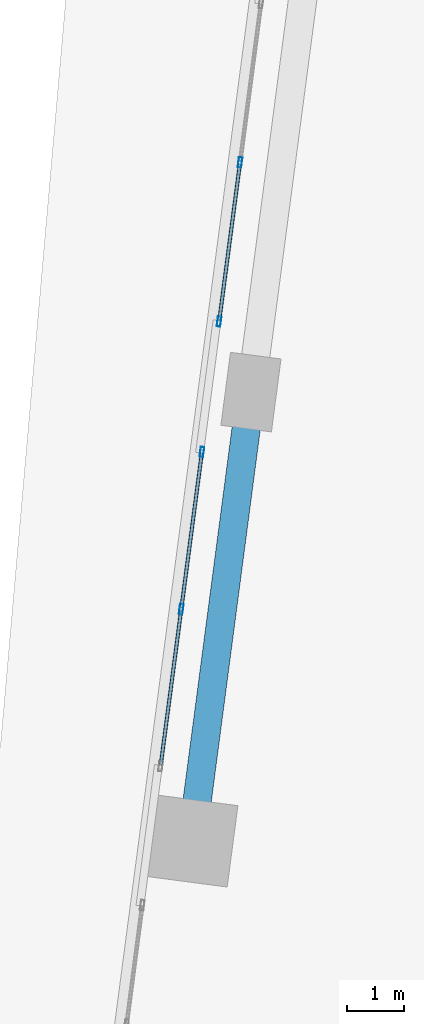
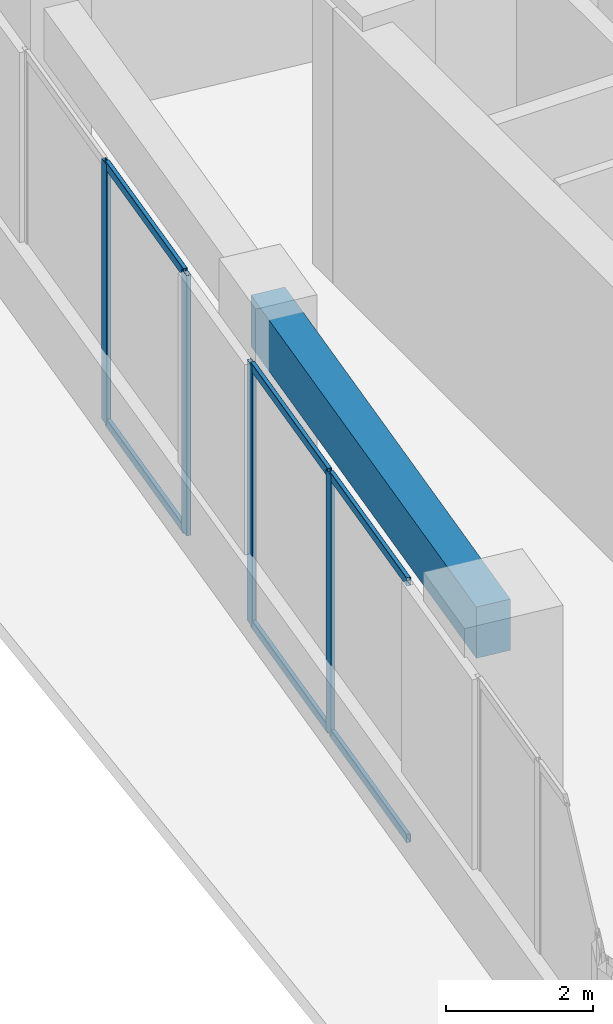
# One storey, part 7 of 24: 10 members, 1 beam, 2 elements without a shape of their own.
"""IFC4 building model written with IfcOpenShell, lengths in metres."""

from ifc_helpers import new_model, si_unit, direction, frame, origin, origin_2d, place, context, subcontext, project, spatial, rectangle, hollow_rectangle, extrude, source, transform, mapped, material, material_profile, profile_set, type_object, element, aggregate, save


model = new_model("IFC4")

# Units and contexts
model_context = context("Model", 3, precision=1e-05, world=origin(), true_north=direction((0.0, 1.0)))
body_context = subcontext(model_context, "Body", "Model", "MODEL_VIEW")
ifc_project = project(units=[si_unit("LENGTHUNIT", "METRE"), si_unit("AREAUNIT", "SQUARE_METRE"), si_unit("VOLUMEUNIT", "CUBIC_METRE"), si_unit("PLANEANGLEUNIT", "RADIAN"), si_unit("MASSUNIT", "GRAM", prefix="KILO")], contexts=[model_context])

# Site, building, storey
site_placement = place(None, origin())
site = spatial("IfcSite", under=ifc_project, at=site_placement, CompositionType="ELEMENT")
building_placement = place(site_placement, origin())
building = spatial("IfcBuilding", under=site, at=building_placement, Name="Torre Montelarca", CompositionType="ELEMENT")
storey_placement = place(building_placement, frame((0.0, 0.0, 61.60009765625)))
storey = spatial("IfcBuildingStorey", under=building, at=storey_placement, Name="L13", CompositionType="ELEMENT", Elevation=61.60009765625)

# Beam
ifc_material_1 = material(Name="Concrete C55/67", Category="concrete")
ifc_material_profile_1 = material_profile(ifc_material_1, rectangle(XDim=0.5, YDim=0.85009765625, at=origin_2d()), Name="RCB500X850", Category="concrete")
ifc_profile_set_1 = profile_set([ifc_material_profile_1], Name="Concrete C55/67")
beam_type = type_object("IfcBeamType", Name="BM-SP-RC850-EXT", PredefinedType="SPANDREL", material=ifc_profile_set_1)
shared_shape_1 = source(origin(), body_context, "Body", "SweptSolid", [
    extrude(rectangle(XDim=0.5, YDim=0.85009765625, at=origin_2d()), origin(), (0.0, 0.0, 1.0), 8.0),
])
beam_placement = place(storey_placement, frame((3.75, 26.267822265625, 4.135009765625), z_axis=(0.130522402305, 0.991445360318, 0.0), x_axis=(-0.991445360318, 0.130522402305, 0.0)))
element("IfcBeam", 1, at=beam_placement, inside=storey, type_object=beam_type, Name="L13 Grid Girder Y 24.0-32.0 at X=4.7", PredefinedType="SPANDREL", context=body_context, shape_type="MappedRepresentation", body=[
    mapped(shared_shape_1, transform((0.0, 0.0, 0.0), scale=1.0)),
])

# Curtain wall, members
ifc_material_2 = material(Name="Insulated low-E laminated glass", Category="glass")
curtain_wall_type = type_object("IfcCurtainWallType", Name="CW-SYS-Z1", PredefinedType="USERDEFINED", material=ifc_material_2)
curtain_wall_1_placement = place(storey_placement, origin())
curtain_wall_1 = element("IfcCurtainWall", 2, at=curtain_wall_1_placement, inside=storey, type_object=curtain_wall_type, Name="L13 Curtain Wall Run CW-T3-L13-E10-B1", ObjectType="UNITISED GLAZING", PredefinedType="USERDEFINED")
ifc_material_3 = material(Name="Anodised aluminium AA 6063-T6", Category="aluminium")
ifc_material_profile_2 = material_profile(ifc_material_3, hollow_rectangle(XDim=0.06494140625, YDim=0.139892578125, WallThickness=0.00390625, InnerFilletRadius=0.00390625, OuterFilletRadius=0.008056640625, at=origin_2d()), Name="ALU65X140X4", Category="aluminium")
ifc_profile_set_2 = profile_set([ifc_material_profile_2], Name="Anodised aluminium AA 6063-T6")
member_type_1 = type_object("IfcMemberType", Name="CWT-ALU140", PredefinedType="USERDEFINED", material=ifc_profile_set_2)
shared_shape_2 = source(origin(), body_context, "Body", "SweptSolid", [
    extrude(hollow_rectangle(XDim=0.06494140625, YDim=0.139892578125, WallThickness=0.00390625, InnerFilletRadius=0.00390625, OuterFilletRadius=0.008056640625, at=origin_2d()), origin(), (0.0, 0.0, 1.0), 2.7724609375),
])
member_1_placement = place(storey_placement, frame((4.59814453125, 38.226806640625, 0.032470703125), z_axis=(-0.130502348019, -0.991448000231, 0.0), x_axis=(0.991448000231, -0.130502348019, 0.0)))
member_1 = element("IfcMember", 3, at=member_1_placement, type_object=member_type_1, Name="CW transom 2.1", ObjectType="TRANSOM", PredefinedType="USERDEFINED", context=body_context, shape_type="MappedRepresentation", body=[
    mapped(shared_shape_2, transform((0.0, 0.0, 0.0), scale=1.0)),
])
member_2_placement = place(storey_placement, frame((4.59814453125, 38.226806640625, 4.287353515625), z_axis=(-0.130502348019, -0.991448000231, 0.0), x_axis=(0.991448000231, -0.130502348019, 0.0)))
member_2 = element("IfcMember", 4, at=member_2_placement, type_object=member_type_1, Name="CW transom 2.2", ObjectType="TRANSOM", PredefinedType="USERDEFINED", context=body_context, shape_type="MappedRepresentation", body=[
    mapped(shared_shape_2, transform((0.0, 0.0, 0.0), scale=1.0)),
])

curtain_wall_2_placement = place(storey_placement, origin())
curtain_wall_2 = element("IfcCurtainWall", 5, at=curtain_wall_2_placement, inside=storey, type_object=curtain_wall_type, Name="L13 Curtain Wall Run CW-T3-L13-E10-B2", ObjectType="UNITISED GLAZING", PredefinedType="USERDEFINED")
shared_shape_3 = source(origin(), body_context, "Body", "SweptSolid", [
    extrude(hollow_rectangle(XDim=0.06494140625, YDim=0.139892578125, WallThickness=0.00390625, InnerFilletRadius=0.00390625, OuterFilletRadius=0.008056640625, at=origin_2d()), origin(), (0.0, 0.0, 1.0), 2.735107421875),
])
member_3_placement = place(storey_placement, frame((3.92431640625, 33.108642578125, 0.032470703125), z_axis=(-0.130503002643, -0.991447914064, 0.0), x_axis=(0.991447914064, -0.130503002643, 0.0)))
member_3 = element("IfcMember", 6, at=member_3_placement, type_object=member_type_1, Name="CW transom 1.1", ObjectType="TRANSOM", PredefinedType="USERDEFINED", context=body_context, shape_type="MappedRepresentation", body=[
    mapped(shared_shape_3, transform((0.0, 0.0, 0.0), scale=1.0)),
])
member_4_placement = place(storey_placement, frame((3.92431640625, 33.108642578125, 4.287353515625), z_axis=(-0.130503002643, -0.991447914064, 0.0), x_axis=(0.991447914064, -0.130503002643, 0.0)))
member_4 = element("IfcMember", 7, at=member_4_placement, type_object=member_type_1, Name="CW transom 1.2", ObjectType="TRANSOM", PredefinedType="USERDEFINED", context=body_context, shape_type="MappedRepresentation", body=[
    mapped(shared_shape_3, transform((0.0, 0.0, 0.0), scale=1.0)),
])
member_5_placement = place(storey_placement, frame((3.558837890625, 30.33251953125, 0.032470703125), z_axis=(-0.130503002643, -0.991447914064, 0.0), x_axis=(0.991447914064, -0.130503002643, 0.0)))
member_5 = element("IfcMember", 8, at=member_5_placement, type_object=member_type_1, Name="CW transom 2.1", ObjectType="TRANSOM", PredefinedType="USERDEFINED", context=body_context, shape_type="MappedRepresentation", body=[
    mapped(shared_shape_3, transform((0.0, 0.0, 0.0), scale=1.0)),
])
member_6_placement = place(storey_placement, frame((3.558837890625, 30.33251953125, 4.287353515625), z_axis=(-0.130503002643, -0.991447914064, 0.0), x_axis=(0.991447914064, -0.130503002643, 0.0)))
member_6 = element("IfcMember", 9, at=member_6_placement, type_object=member_type_1, Name="CW transom 2.2", ObjectType="TRANSOM", PredefinedType="USERDEFINED", context=body_context, shape_type="MappedRepresentation", body=[
    mapped(shared_shape_3, transform((0.0, 0.0, 0.0), scale=1.0)),
])

# Member
ifc_material_profile_3 = material_profile(ifc_material_3, hollow_rectangle(XDim=0.06494140625, YDim=0.179931640625, WallThickness=0.00390625, InnerFilletRadius=0.00390625, OuterFilletRadius=0.008056640625, at=origin_2d()), Name="ALU65X180X4", Category="aluminium")
ifc_profile_set_3 = profile_set([ifc_material_profile_3], Name="Anodised aluminium AA 6063-T6")
member_type_2 = type_object("IfcMemberType", Name="CWM-ALU180", PredefinedType="MULLION", material=ifc_profile_set_3)
shared_shape_4 = source(origin(), body_context, "Body", "SweptSolid", [
    extrude(hollow_rectangle(XDim=0.06494140625, YDim=0.179931640625, WallThickness=0.00390625, InnerFilletRadius=0.00390625, OuterFilletRadius=0.008056640625, at=origin_2d()), origin(), (0.0, 0.0, 1.0), 4.31982421875),
])
member_7_placement = place(storey_placement, frame((4.6025390625, 38.259033203125, 0.0), z_axis=(0.0, 0.0, 1.0), x_axis=(0.991442787809, -0.13054194154, 0.0)))
member_7 = element("IfcMember", 10, at=member_7_placement, type_object=member_type_2, Name="CW mullion 2", PredefinedType="MULLION", context=body_context, shape_type="MappedRepresentation", body=[
    mapped(shared_shape_4, transform((0.0, 0.0, 0.0), scale=1.0)),
])

member_8_placement = place(storey_placement, frame((4.23193359375, 35.44580078125, 0.0), z_axis=(0.0, 0.0, 1.0), x_axis=(0.991442787809, -0.13054194154, 0.0)))
member_8 = element("IfcMember", 11, at=member_8_placement, type_object=member_type_2, Name="CW mullion 3", PredefinedType="MULLION", context=body_context, shape_type="MappedRepresentation", body=[
    mapped(shared_shape_4, transform((0.0, 0.0, 0.0), scale=1.0)),
])

aggregate(curtain_wall_1, [member_7, member_8, member_1, member_2])

member_9_placement = place(storey_placement, frame((3.928466796875, 33.140869140625, 0.0), z_axis=(0.0, 0.0, 1.0), x_axis=(0.991445461076, -0.130521636947, 0.0)))
member_9 = element("IfcMember", 12, at=member_9_placement, type_object=member_type_2, Name="CW mullion 1", PredefinedType="MULLION", context=body_context, shape_type="MappedRepresentation", body=[
    mapped(shared_shape_4, transform((0.0, 0.0, 0.0), scale=1.0)),
])

member_10_placement = place(storey_placement, frame((3.56298828125, 30.36474609375, 0.0), z_axis=(0.0, 0.0, 1.0), x_axis=(0.991445461076, -0.130521636947, 0.0)))
member_10 = element("IfcMember", 13, at=member_10_placement, type_object=member_type_2, Name="CW mullion 2", PredefinedType="MULLION", context=body_context, shape_type="MappedRepresentation", body=[
    mapped(shared_shape_4, transform((0.0, 0.0, 0.0), scale=1.0)),
])

aggregate(curtain_wall_2, [member_9, member_10, member_3, member_4, member_5, member_6])

save(model, "model.ifc")
